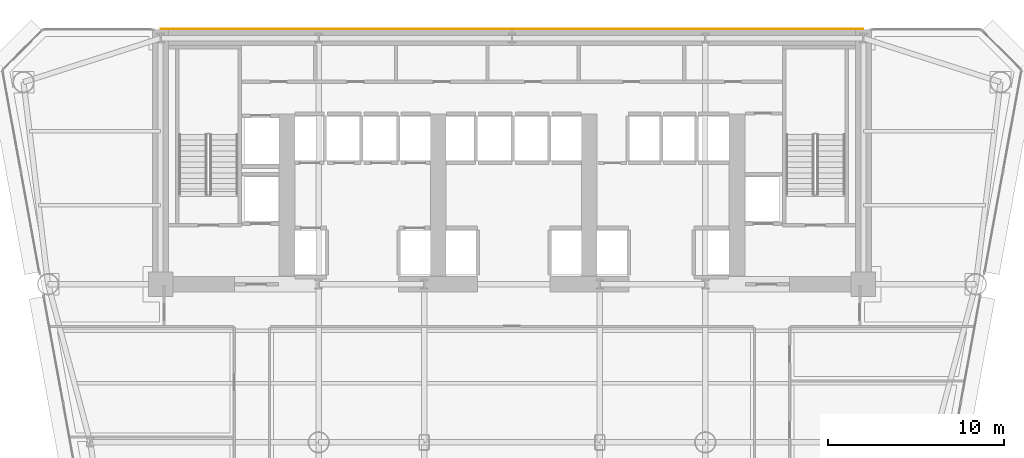
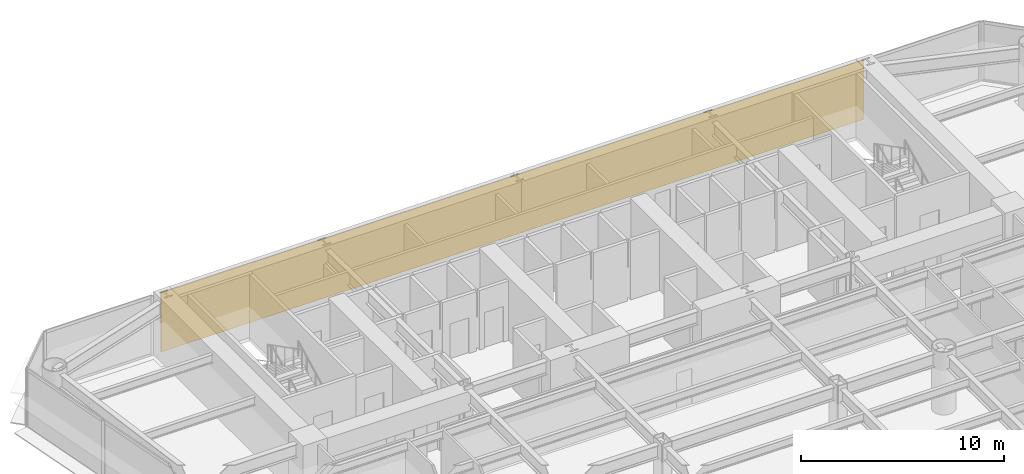
# One storey, part 13 of 14: 1 covering.
"""IFC4 building model written with IfcOpenShell, lengths in metres."""

from ifc_helpers import new_model, si_unit, direction, frame, origin, place, context, subcontext, project, spatial, polyline, outline, extrude, material, layer, layer_set, type_object, element, save


model = new_model("IFC4")

# Units and contexts
model_context = context("Model", 3, precision=1e-05, world=origin(), true_north=direction((0.0, 1.0)))
body_context = subcontext(model_context, "Body", "Model", "MODEL_VIEW")
ifc_project = project(units=[si_unit("LENGTHUNIT", "METRE"), si_unit("AREAUNIT", "SQUARE_METRE"), si_unit("VOLUMEUNIT", "CUBIC_METRE"), si_unit("PLANEANGLEUNIT", "RADIAN"), si_unit("MASSUNIT", "GRAM", prefix="KILO")], contexts=[model_context])

# Site, building, storey
site_placement = place(None, origin())
site = spatial("IfcSite", under=ifc_project, at=site_placement, CompositionType="ELEMENT")
building_placement = place(site_placement, origin())
building = spatial("IfcBuilding", under=site, at=building_placement, Name="Vaeldorn Concourse Tower", CompositionType="ELEMENT")
storey_placement = place(building_placement, frame((0.0, 0.0, 64.39990234375)))
storey = spatial("IfcBuildingStorey", under=building, at=storey_placement, Name="L16", CompositionType="ELEMENT", Elevation=64.39990234375)

# Covering
ifc_material = material(Name="Anodised Bronze Aluminium", Category="aluminium")
ifc_layer = layer(ifc_material, 0.050048828125)
ifc_layer_set = layer_set([ifc_layer], Name="Anodised Bronze Aluminium")
covering_type = type_object("IfcCoveringType", Name="COV-CLAD-BRONZE", PredefinedType="CLADDING", material=ifc_layer_set)
covering_placement = place(storey_placement, origin())
element("IfcCovering", 1, at=covering_placement, inside=storey, type_object=covering_type, Name="Rear Core Bronze Spandrel Cladding L16", PredefinedType="CLADDING", context=body_context, shape_type="SweptSolid", body=[
    extrude(outline(polyline([(14.0, 51.0), (54.0, 51.0), (54.0, 51.050048828125), (14.0, 51.050048828125), (14.0, 51.0)])), origin(), (0.0, 0.0, 1.0), 3.580078125),
])

save(model, "model.ifc")
